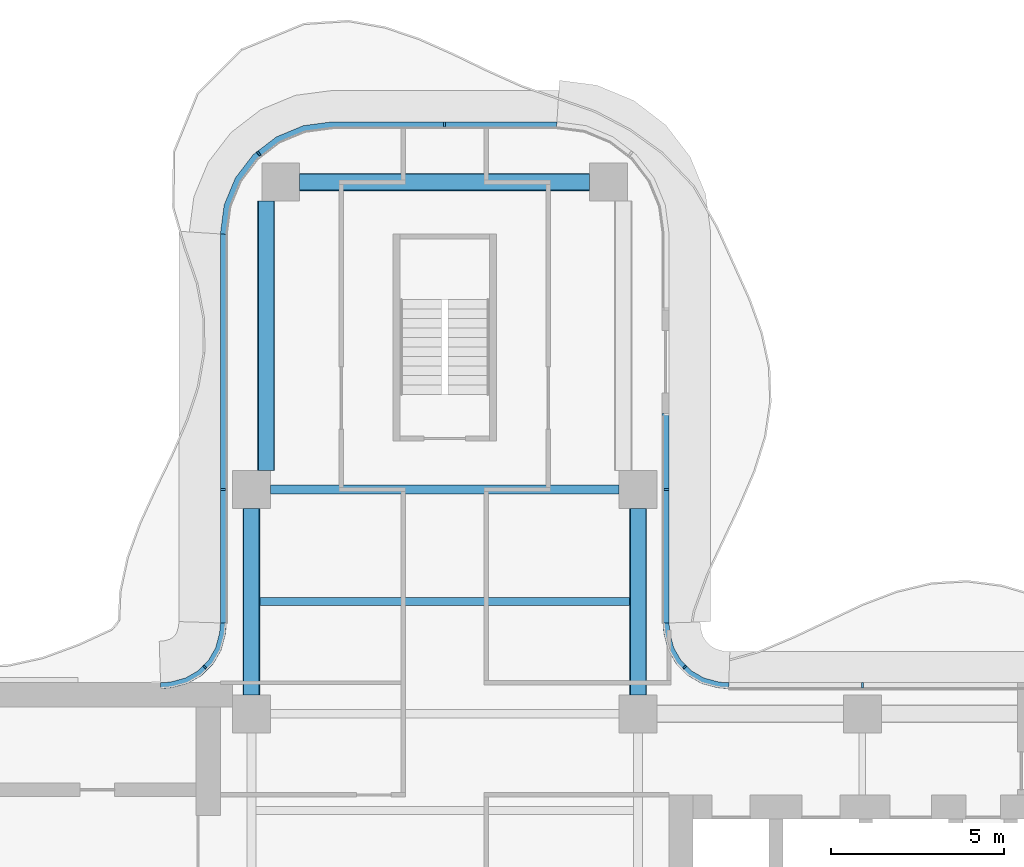
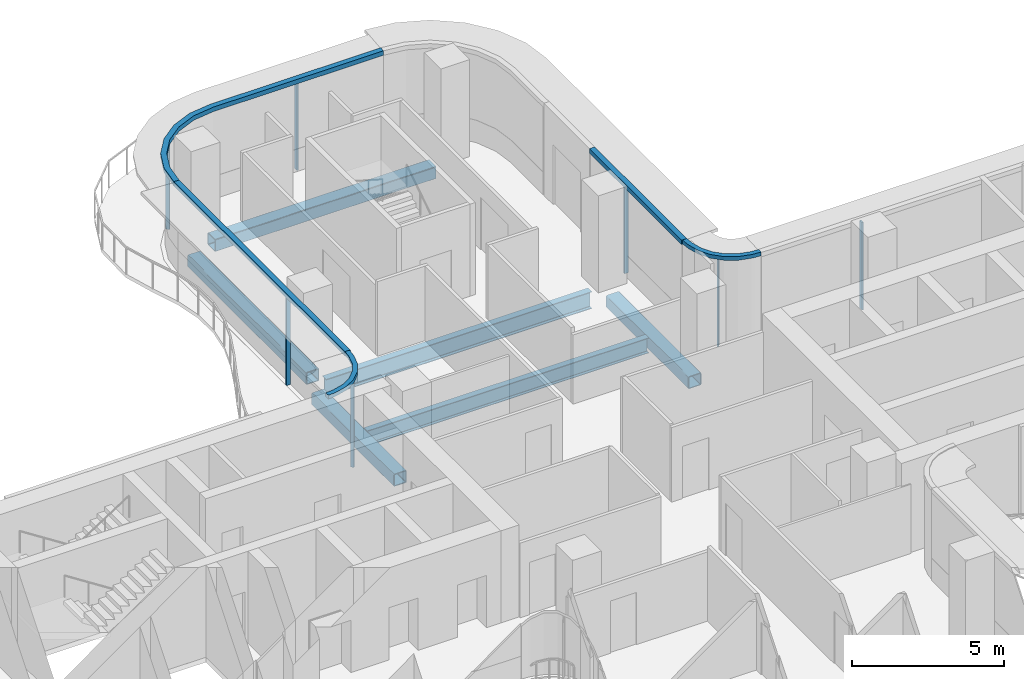
# One storey, part 7 of 17: 12 members, 6 beams, 6 elements without a shape of their own.
"""IFC4 building model written with IfcOpenShell, lengths in metres."""

from ifc_helpers import new_model, si_unit, direction, frame, origin, origin_2d, place, context, subcontext, project, spatial, polyline, rectangle, hollow_rectangle, i_section, outline, extrude, source, transform, mapped, material, layer, layer_set, material_profile, profile_set, type_object, element, aggregate, save


model = new_model("IFC4")

# Units and contexts
model_context = context("Model", 3, precision=1e-05, world=origin(), true_north=direction((0.0, 1.0)))
body_context = subcontext(model_context, "Body", "Model", "MODEL_VIEW")
ifc_project = project(units=[si_unit("LENGTHUNIT", "METRE"), si_unit("AREAUNIT", "SQUARE_METRE"), si_unit("VOLUMEUNIT", "CUBIC_METRE"), si_unit("PLANEANGLEUNIT", "RADIAN"), si_unit("MASSUNIT", "GRAM", prefix="KILO")], contexts=[model_context])

# Site, building, storey
site_placement = place(None, origin())
site = spatial("IfcSite", under=ifc_project, at=site_placement, CompositionType="ELEMENT")
building_placement = place(site_placement, origin())
building = spatial("IfcBuilding", under=site, at=building_placement, Name="Trellis Farm Tower", CompositionType="ELEMENT")
storey_placement = place(building_placement, frame((0.0, 0.0, 220.699951171875)))
storey = spatial("IfcBuildingStorey", under=building, at=storey_placement, Name="L48", CompositionType="ELEMENT", Elevation=220.699951171875)

# Beams
ifc_material_1 = material(Name="Steel S355", Category="steel")
ifc_material_profile_1 = material_profile(ifc_material_1, hollow_rectangle(XDim=0.5, YDim=0.5, WallThickness=0.030029296875, InnerFilletRadius=0.030029296875, OuterFilletRadius=0.044921875, at=origin_2d()), Name="SHS 500x500x30")
ifc_profile_set_1 = profile_set([ifc_material_profile_1], Name="Steel S355")
beam_type_1 = type_object("IfcBeamType", Name="SHS 500x500x30", PredefinedType="BEAM", material=ifc_profile_set_1)
shared_shape_1 = source(origin(), body_context, "Body", "SweptSolid", [
    extrude(hollow_rectangle(XDim=0.5, YDim=0.5, WallThickness=0.030029296875, InnerFilletRadius=0.030029296875, OuterFilletRadius=0.044921875, at=origin_2d()), origin(), (0.0, 0.0, 1.0), 5.400146484375),
])
for number, where, z_axis, x_axis, name in (
    (1, (-5.60009765625, 6.14990234375, -0.449951171875), (0.0, 1.0, 0.0), (-1.0, 0.0, 0.0), "Girder"),
    (2, (5.60009765625, 6.14990234375, -0.449951171875), (0.0, 1.0, 0.0), (-1.0, 0.0, 0.0), "Girder"),
):
    element("IfcBeam", number, at=place(storey_placement, frame(where, z_axis=z_axis, x_axis=x_axis)), inside=storey, type_object=beam_type_1, Name=name, PredefinedType="BEAM", context=body_context, shape_type="MappedRepresentation", body=[
        mapped(shared_shape_1, transform((0.0, 0.0, 0.0))),
    ])
ifc_material_profile_2 = material_profile(ifc_material_1, i_section(OverallWidth=0.253662109375, OverallDepth=0.68359375, WebThickness=0.012451171875, FlangeThickness=0.021728515625, FilletRadius=0.01513671875, at=origin_2d()), Name="UB 686x254x140")
ifc_profile_set_2 = profile_set([ifc_material_profile_2], Name="Steel S355")
beam_type_2 = type_object("IfcBeamType", Name="UB 686x254x140", PredefinedType="BEAM", material=ifc_profile_set_2)
shared_shape_2 = source(origin(), body_context, "Body", "SweptSolid", [
    extrude(i_section(OverallWidth=0.253662109375, OverallDepth=0.68359375, WebThickness=0.012451171875, FlangeThickness=0.021728515625, FilletRadius=0.01513671875, at=origin_2d()), origin(), (0.0, 0.0, 1.0), 10.10009765625),
])
beam_1_placement = place(storey_placement, frame((-5.050048828125, 12.10009765625, -0.541748046875), z_axis=(1.0, 0.0, 0.0), x_axis=(0.0, 1.0, 0.0)))
element("IfcBeam", 3, at=beam_1_placement, inside=storey, type_object=beam_type_2, Name="Girder", PredefinedType="BEAM", context=body_context, shape_type="MappedRepresentation", body=[
    mapped(shared_shape_2, transform((0.0, 0.0, 0.0))),
])
shared_shape_3 = source(origin(), body_context, "Body", "SweptSolid", [
    extrude(hollow_rectangle(XDim=0.5, YDim=0.5, WallThickness=0.030029296875, InnerFilletRadius=0.030029296875, OuterFilletRadius=0.044921875, at=origin_2d()), origin(), (0.0, 0.0, 1.0), 8.39990234375),
])
beam_2_placement = place(storey_placement, frame((-4.199951171875, 21.0, -0.449951171875), z_axis=(1.0, 0.0, 0.0), x_axis=(0.0, 1.0, 0.0)))
element("IfcBeam", 4, at=beam_2_placement, inside=storey, type_object=beam_type_1, Name="Girder", PredefinedType="BEAM", context=body_context, shape_type="MappedRepresentation", body=[
    mapped(shared_shape_3, transform((0.0, 0.0, 0.0))),
])
shared_shape_4 = source(origin(), body_context, "Body", "SweptSolid", [
    extrude(hollow_rectangle(XDim=0.5, YDim=0.5, WallThickness=0.030029296875, InnerFilletRadius=0.030029296875, OuterFilletRadius=0.044921875, at=origin_2d()), origin(), (0.0, 0.0, 1.0), 7.800048828125),
])
beam_3_placement = place(storey_placement, frame((-5.175048828125, 12.64990234375, -0.449951171875), z_axis=(0.0, 1.0, 0.0), x_axis=(-1.0, 0.0, 0.0)))
element("IfcBeam", 5, at=beam_3_placement, inside=storey, type_object=beam_type_1, Name="Girder", PredefinedType="BEAM", context=body_context, shape_type="MappedRepresentation", body=[
    mapped(shared_shape_4, transform((0.0, 0.0, 0.0))),
])
ifc_material_profile_3 = material_profile(ifc_material_1, i_section(OverallWidth=0.22900390625, OverallDepth=0.6123046875, WebThickness=0.011962890625, FlangeThickness=0.01953125, FilletRadius=0.0126953125, at=origin_2d()), Name="UB 610x229x125")
ifc_profile_set_3 = profile_set([ifc_material_profile_3], Name="Steel S355")
beam_type_3 = type_object("IfcBeamType", Name="UB 610x229x125 joist", PredefinedType="JOIST", material=ifc_profile_set_3)
shared_shape_5 = source(origin(), body_context, "Body", "SweptSolid", [
    extrude(i_section(OverallWidth=0.22900390625, OverallDepth=0.6123046875, WebThickness=0.011962890625, FlangeThickness=0.01953125, FilletRadius=0.0126953125, at=origin_2d()), origin(), (0.0, 0.0, 1.0), 10.7001953125),
])
beam_4_placement = place(storey_placement, frame((-5.35009765625, 8.85009765625, -0.506103515625), z_axis=(1.0, 0.0, 0.0), x_axis=(0.0, 1.0, 0.0)))
element("IfcBeam", 6, at=beam_4_placement, inside=storey, type_object=beam_type_3, Name="Floor beam", PredefinedType="JOIST", context=body_context, shape_type="MappedRepresentation", body=[
    mapped(shared_shape_5, transform((0.0, 0.0, 0.0))),
])

# Curtain wall, member
ifc_material_2 = material(Name="Aluminium and glass curtain wall", Category="aluminium")
ifc_layer_1 = layer(ifc_material_2, 0.166015625)
ifc_layer_set_1 = layer_set([ifc_layer_1], Name="WINTER GARDEN CURTAIN WALL CW3")
curtain_wall_type_1 = type_object("IfcCurtainWallType", Name="WINTER GARDEN CURTAIN WALL CW3", PredefinedType="NOTDEFINED", material=ifc_layer_set_1)
placement_1 = place(storey_placement, origin())
curtain_wall_1 = element("IfcCurtainWall", 7, at=placement_1, inside=storey, type_object=curtain_wall_type_1, Name="CW3 003", PredefinedType="NOTDEFINED")
ifc_material_3 = material(Name="Aluminium extrusion 6063-T6", Category="aluminium")
ifc_layer_2 = layer(ifc_material_3, 0.169921875)
ifc_layer_set_2 = layer_set([ifc_layer_2], Name="Aluminium extrusion 6063-T6")
member_type_1 = type_object("IfcMemberType", Name="CW3 TRANSOM 170x150", PredefinedType="USERDEFINED", material=ifc_layer_set_2)
shared_shape_6 = source(origin(), body_context, "Body", "SweptSolid", [
    extrude(outline(polyline([(8.2314453125, 6.5), (8.01953125, 6.513916015625), (7.91552734375, 6.527587890625), (7.508544921875, 6.63671875), (7.144287109375, 6.846923828125), (6.846923828125, 7.144287109375), (6.63671875, 7.508544921875), (6.527587890625, 7.91552734375), (6.513916015625, 8.01953125), (6.5, 8.2314453125), (6.330078125, 8.225830078125), (6.3447265625, 8.0029296875), (6.360595703125, 7.88232421875), (6.478271484375, 7.44287109375), (6.7109375, 7.0400390625), (7.0400390625, 6.7109375), (7.44287109375, 6.478271484375), (7.88232421875, 6.360595703125), (8.0029296875, 6.3447265625), (8.225830078125, 6.330078125), (8.2314453125, 6.5)])), origin(), (0.0, 0.0, 1.0), 0.14990234375),
])
placement_2 = place(storey_placement, frame((0.0, 0.0, 3.550048828125)))
member_1 = element("IfcMember", 8, at=placement_2, type_object=member_type_1, Name="TR3 003", ObjectType="TRANSOM", PredefinedType="USERDEFINED", context=body_context, shape_type="MappedRepresentation", body=[
    mapped(shared_shape_6, transform((0.0, 0.0, 0.0))),
])

curtain_wall_2 = element("IfcCurtainWall", 9, at=placement_1, inside=storey, type_object=curtain_wall_type_1, Name="CW3 004", PredefinedType="NOTDEFINED")
shared_shape_7 = source(origin(), body_context, "Body", "SweptSolid", [
    extrude(outline(polyline([(-6.5, 8.2314453125), (-6.513916015625, 8.01953125), (-6.527587890625, 7.91552734375), (-6.63671875, 7.508544921875), (-6.846923828125, 7.144287109375), (-7.144287109375, 6.846923828125), (-7.508544921875, 6.63671875), (-7.91552734375, 6.527587890625), (-8.01953125, 6.513916015625), (-8.2314453125, 6.5), (-8.225830078125, 6.330078125), (-8.0029296875, 6.3447265625), (-7.88232421875, 6.360595703125), (-7.44287109375, 6.478271484375), (-7.0400390625, 6.7109375), (-6.7109375, 7.0400390625), (-6.478271484375, 7.44287109375), (-6.360595703125, 7.88232421875), (-6.3447265625, 8.0029296875), (-6.330078125, 8.225830078125), (-6.5, 8.2314453125)])), origin(), (0.0, 0.0, 1.0), 0.14990234375),
])
member_2 = element("IfcMember", 10, at=placement_2, type_object=member_type_1, Name="TR3 004", ObjectType="TRANSOM", PredefinedType="USERDEFINED", context=body_context, shape_type="MappedRepresentation", body=[
    mapped(shared_shape_7, transform((0.0, 0.0, 0.0))),
])

ifc_layer_3 = layer(ifc_material_2, 0.18994140625)
ifc_layer_set_3 = layer_set([ifc_layer_3], Name="RIBBON CURTAIN WALL CW1")
curtain_wall_type_2 = type_object("IfcCurtainWallType", Name="RIBBON CURTAIN WALL CW1", PredefinedType="NOTDEFINED", material=ifc_layer_set_3)
curtain_wall_3 = element("IfcCurtainWall", 11, at=placement_1, inside=storey, type_object=curtain_wall_type_2, Name="CW1 008", PredefinedType="NOTDEFINED")
ifc_material_profile_4 = material_profile(ifc_material_3, rectangle(XDim=0.06005859375, YDim=0.14990234375, at=origin_2d()), Name="MULLION 60x150")
ifc_profile_set_4 = profile_set([ifc_material_profile_4], Name="Aluminium extrusion 6063-T6")
member_type_2 = type_object("IfcMemberType", Name="CW1 MULLION 60x150", PredefinedType="MULLION", material=ifc_profile_set_4)
shared_shape_8 = source(origin(), body_context, "Body", "SweptSolid", [
    extrude(rectangle(XDim=0.06005859375, YDim=0.14990234375, at=origin_2d()), origin(), (0.0, 0.0, 1.0), 3.52001953125),
])
member_3_placement = place(storey_placement, frame((12.10009765625, 6.425048828125, 0.0), z_axis=(0.0, 0.0, 1.0), x_axis=(-1.0, 0.0, 0.0)))
member_3 = element("IfcMember", 12, at=member_3_placement, type_object=member_type_2, Name="MU1 008-02", PredefinedType="MULLION", context=body_context, shape_type="MappedRepresentation", body=[
    mapped(shared_shape_8, transform((0.0, 0.0, 0.0))),
])
aggregate(curtain_wall_3, [member_3])

curtain_wall_4 = element("IfcCurtainWall", 13, at=placement_1, inside=storey, type_object=curtain_wall_type_2, Name="CW1 009", PredefinedType="NOTDEFINED")
member_4_placement = place(storey_placement, frame((6.425048828125, 12.10009765625, 0.0), z_axis=(0.0, 0.0, 1.0), x_axis=(0.0, 1.0, 0.0)))
member_4 = element("IfcMember", 14, at=member_4_placement, type_object=member_type_2, Name="MU1 009-01", PredefinedType="MULLION", context=body_context, shape_type="MappedRepresentation", body=[
    mapped(shared_shape_8, transform((0.0, 0.0, 0.0))),
])

# Curtain wall, members
curtain_wall_5 = element("IfcCurtainWall", 15, at=placement_1, inside=storey, type_object=curtain_wall_type_2, Name="CW1 011", PredefinedType="NOTDEFINED")
member_5_placement = place(storey_placement, frame((0.0, 22.675048828125, 0.0), z_axis=(0.0, 0.0, 1.0), x_axis=(-1.0, 0.0, 0.0)))
member_5 = element("IfcMember", 16, at=member_5_placement, type_object=member_type_2, Name="MU1 011-01", PredefinedType="MULLION", context=body_context, shape_type="MappedRepresentation", body=[
    mapped(shared_shape_8, transform((0.0, 0.0, 0.0))),
])
member_6_placement = place(storey_placement, frame((-5.385498046875, 21.828369140625, 0.0), z_axis=(0.0, 0.0, 1.0), x_axis=(-0.793353340291, -0.608761429009, 0.0)))
member_6 = element("IfcMember", 17, at=member_6_placement, type_object=member_type_2, Name="MU1 011-02", PredefinedType="MULLION", context=body_context, shape_type="MappedRepresentation", body=[
    mapped(shared_shape_8, transform((0.0, 0.0, 0.0))),
])

# Curtain wall, member
curtain_wall_6 = element("IfcCurtainWall", 18, at=placement_1, inside=storey, type_object=curtain_wall_type_2, Name="CW1 012", PredefinedType="NOTDEFINED")
member_7_placement = place(storey_placement, frame((-6.425048828125, 12.10009765625, 0.0), z_axis=(0.0, 0.0, 1.0), x_axis=(0.0, -1.0, 0.0)))
member_7 = element("IfcMember", 19, at=member_7_placement, type_object=member_type_2, Name="MU1 012-01", PredefinedType="MULLION", context=body_context, shape_type="MappedRepresentation", body=[
    mapped(shared_shape_8, transform((0.0, 0.0, 0.0))),
])

# Member
ifc_material_profile_5 = material_profile(ifc_material_3, rectangle(XDim=0.050048828125, YDim=0.1201171875, at=origin_2d()), Name="MULLION 50x120")
ifc_profile_set_5 = profile_set([ifc_material_profile_5], Name="Aluminium extrusion 6063-T6")
member_type_3 = type_object("IfcMemberType", Name="CW3 MULLION 50x120", PredefinedType="MULLION", material=ifc_profile_set_5)
shared_shape_9 = source(origin(), body_context, "Body", "SweptSolid", [
    extrude(rectangle(XDim=0.050048828125, YDim=0.1201171875, at=origin_2d()), origin(), (0.0, 0.0, 1.0), 3.550048828125),
])
member_8_placement = place(storey_placement, frame((6.953125, 6.953125, 0.0), z_axis=(0.0, 0.0, 1.0), x_axis=(-0.707106781187, 0.707106781187, 0.0)))
member_8 = element("IfcMember", 20, at=member_8_placement, type_object=member_type_3, Name="MU3 003-01", PredefinedType="MULLION", context=body_context, shape_type="MappedRepresentation", body=[
    mapped(shared_shape_9, transform((0.0, 0.0, 0.0))),
])

aggregate(curtain_wall_1, [member_8, member_1])

member_9_placement = place(storey_placement, frame((-6.953125, 6.953125, 0.0), z_axis=(0.0, 0.0, 1.0), x_axis=(-0.707106781187, -0.707106781187, 0.0)))
member_9 = element("IfcMember", 21, at=member_9_placement, type_object=member_type_3, Name="MU3 004-01", PredefinedType="MULLION", context=body_context, shape_type="MappedRepresentation", body=[
    mapped(shared_shape_9, transform((0.0, 0.0, 0.0))),
])

aggregate(curtain_wall_2, [member_9, member_2])

ifc_layer_4 = layer(ifc_material_3, 0.199951171875)
ifc_layer_set_4 = layer_set([ifc_layer_4], Name="Aluminium extrusion 6063-T6")
member_type_4 = type_object("IfcMemberType", Name="CW1 TRANSOM 200x180", PredefinedType="USERDEFINED", material=ifc_layer_set_4)
shared_shape_10 = source(origin(), body_context, "Body", "SweptSolid", [
    extrude(outline(polyline([(3.25, 22.75), (-3.25, 22.75), (-4.091064453125, 22.63916015625), (-4.875, 22.314697265625), (-5.548095703125, 21.798095703125), (-6.064697265625, 21.125), (-6.38916015625, 20.341064453125), (-6.5, 19.5), (-6.300048828125, 19.48681640625), (-6.1943359375, 20.2890625), (-5.889892578125, 21.024169921875), (-5.405517578125, 21.655517578125), (-4.774169921875, 22.139892578125), (-4.0390625, 22.4443359375), (-3.23681640625, 22.550048828125), (3.23681640625, 22.550048828125), (3.25, 22.75)])), origin(), (0.0, 0.0, 1.0), 0.179931640625),
])
placement_3 = place(storey_placement, frame((0.0, 0.0, 3.52001953125)))
member_10 = element("IfcMember", 22, at=placement_3, type_object=member_type_4, Name="TR1 011", ObjectType="TRANSOM", PredefinedType="USERDEFINED", context=body_context, shape_type="MappedRepresentation", body=[
    mapped(shared_shape_10, transform((0.0, 0.0, 0.0))),
])

aggregate(curtain_wall_5, [member_5, member_6, member_10])

shared_shape_11 = source(origin(), body_context, "Body", "SweptSolid", [
    extrude(outline(polyline([(-6.5, 19.5), (-6.5, 8.2314453125), (-6.300048828125, 8.224853515625), (-6.300048828125, 19.48681640625), (-6.5, 19.5)])), origin(), (0.0, 0.0, 1.0), 0.179931640625),
])
member_11 = element("IfcMember", 23, at=placement_3, type_object=member_type_4, Name="TR1 012", ObjectType="TRANSOM", PredefinedType="USERDEFINED", context=body_context, shape_type="MappedRepresentation", body=[
    mapped(shared_shape_11, transform((0.0, 0.0, 0.0))),
])

aggregate(curtain_wall_6, [member_7, member_11])

shared_shape_12 = source(origin(), body_context, "Body", "SweptSolid", [
    extrude(outline(polyline([(6.5, 8.2314453125), (6.5, 14.300048828125), (6.300048828125, 14.300048828125), (6.300048828125, 8.224853515625), (6.5, 8.2314453125)])), origin(), (0.0, 0.0, 1.0), 0.179931640625),
])
member_12 = element("IfcMember", 24, at=placement_3, type_object=member_type_4, Name="TR1 009", ObjectType="TRANSOM", PredefinedType="USERDEFINED", context=body_context, shape_type="MappedRepresentation", body=[
    mapped(shared_shape_12, transform((0.0, 0.0, 0.0))),
])

aggregate(curtain_wall_4, [member_4, member_12])

save(model, "model.ifc")
